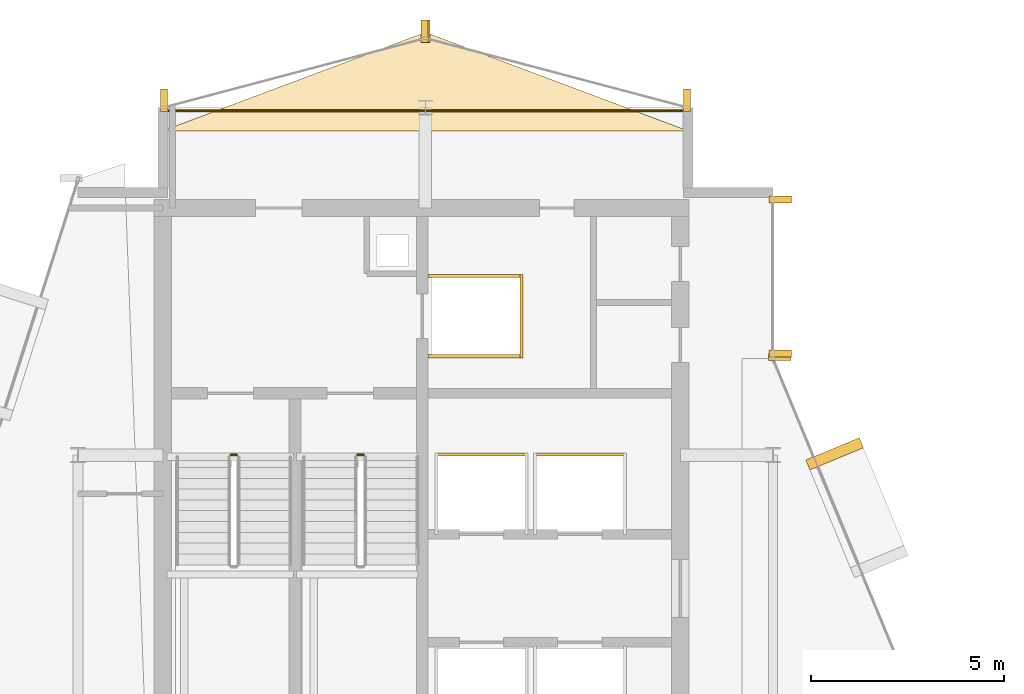
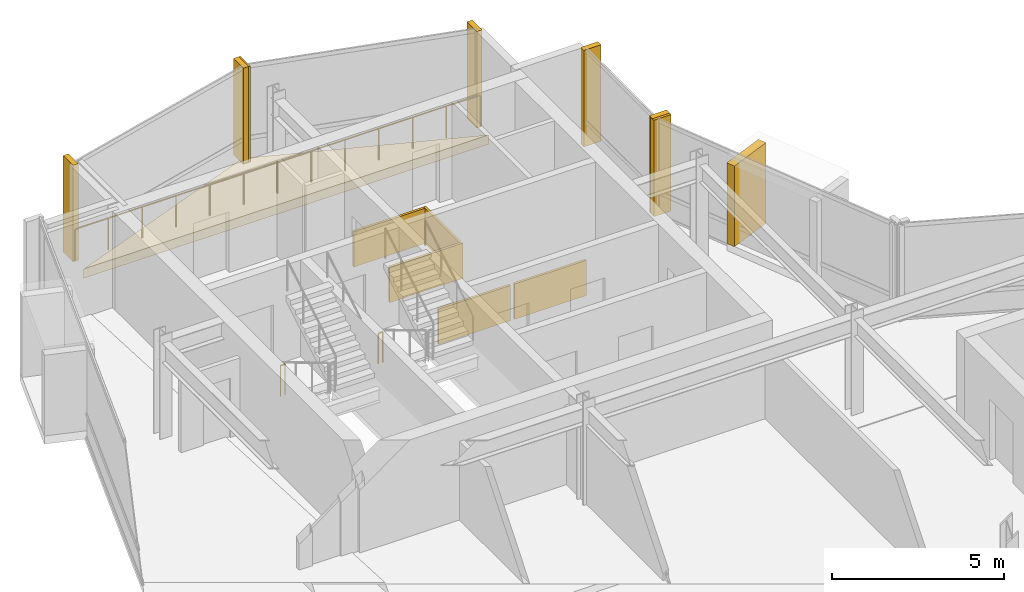
# One storey, part 19 of 19: 14 coverings, 3 railings.
"""IFC4 building model written with IfcOpenShell, lengths in metres."""

from ifc_helpers import new_model, si_unit, direction, frame, origin, origin_2d, place, context, subcontext, project, spatial, polyline, rectangle, circle, outline, extrude, material, layer, layer_set, type_object, element, save


model = new_model("IFC4")

# Units and contexts
model_context = context("Model", 3, precision=1e-05, world=origin(), true_north=direction((0.0, 1.0)))
body_context = subcontext(model_context, "Body", "Model", "MODEL_VIEW")
ifc_project = project(units=[si_unit("LENGTHUNIT", "METRE"), si_unit("AREAUNIT", "SQUARE_METRE"), si_unit("VOLUMEUNIT", "CUBIC_METRE"), si_unit("PLANEANGLEUNIT", "RADIAN"), si_unit("MASSUNIT", "GRAM", prefix="KILO")], contexts=[model_context])

# Site, building, storey
site_placement = place(None, origin())
site = spatial("IfcSite", under=ifc_project, at=site_placement, CompositionType="ELEMENT")
building_placement = place(site_placement, origin())
building = spatial("IfcBuilding", under=site, at=building_placement, Name="Solvaryn Broadcast Tower", CompositionType="ELEMENT")
storey_placement = place(building_placement, frame((0.0, 0.0, 248.199951171875)))
storey = spatial("IfcBuildingStorey", under=building, at=storey_placement, Name="L62", CompositionType="ELEMENT", Elevation=248.199951171875)

# Coverings
ifc_material_1 = material(Name="Fire-Rated Gypsum Shaftwall Liner", Category="concrete")
ifc_layer_1 = layer(ifc_material_1, 0.080078125)
ifc_layer_set_1 = layer_set([ifc_layer_1], Name="CV-SHAFT-LINER")
covering_type_1 = type_object("IfcCoveringType", Name="CV-SHAFT-LINER", PredefinedType="CLADDING", material=ifc_layer_set_1)
for number, where, z_axis, x_axis, name in (
    (1, (19.300048828125, 40.639892578125, 0.0), (0.0, 0.0, 1.0), (1.0, 0.0, 0.0), "L62 FL1 Hoistway Shaft Liner North"),
    (2, (19.300048828125, 38.56005859375, 0.0), (0.0, 0.0, 1.0), (1.0, 0.0, 0.0), "L62 FL1 Hoistway Shaft Liner South"),
):
    element("IfcCovering", number, at=place(storey_placement, frame(where, z_axis=z_axis, x_axis=x_axis)), inside=storey, type_object=covering_type_1, Name=name, PredefinedType="CLADDING", context=body_context, shape_type="SweptSolid", body=[
        extrude(rectangle(XDim=2.4599609375, YDim=0.080078125, at=origin_2d()), origin(), (0.0, 0.0, 1.0), 1.25),
    ])
covering_1_placement = place(storey_placement, frame((20.489990234375, 39.60009765625, 0.0), z_axis=(0.0, 0.0, 1.0), x_axis=(1.0, 0.0, 0.0)))
element("IfcCovering", 3, at=covering_1_placement, inside=storey, type_object=covering_type_1, Name="L62 FL1 Hoistway Shaft Liner East", PredefinedType="CLADDING", context=body_context, shape_type="SweptSolid", body=[
    extrude(rectangle(XDim=0.080078125, YDim=2.159912109375, at=origin_2d()), origin(), (0.0, 0.0, 1.0), 1.25),
])
for number, where, z_axis, x_axis, name in (
    (4, (19.449951171875, 36.014892578125, 0.0), (0.0, 0.0, 1.0), (1.0, 0.0, 0.0), "L62 PH3 Hoistway Shaft Liner North"),
    (5, (22.0, 36.014892578125, 0.0), (0.0, 0.0, 1.0), (1.0, 0.0, 0.0), "L62 PH4 Hoistway Shaft Liner North"),
):
    element("IfcCovering", number, at=place(storey_placement, frame(where, z_axis=z_axis, x_axis=x_axis)), inside=storey, type_object=covering_type_1, Name=name, PredefinedType="CLADDING", context=body_context, shape_type="SweptSolid", body=[
        extrude(rectangle(XDim=2.409912109375, YDim=0.080078125, at=origin_2d()), origin(), (0.0, 0.0, 1.0), 1.25),
    ])
ifc_material_2 = material(Name="Glazed Architectural Terracotta Rainscreen Cladding", Category="masonry")
ifc_layer_2 = layer(ifc_material_2, 0.280029296875)
ifc_layer_set_2 = layer_set([ifc_layer_2], Name="CV-TC-CLAD")
covering_type_2 = type_object("IfcCoveringType", Name="CV-TC-CLAD", PredefinedType="CLADDING", material=ifc_layer_set_2)
covering_2_placement = place(storey_placement, frame((28.59619140625, 36.031982421875, 0.27978515625), z_axis=(0.0, 0.0, 1.0), x_axis=(-0.382683432365, 0.923879532511, 0.0)))
element("IfcCovering", 6, at=covering_2_placement, inside=storey, type_object=covering_type_2, Name="L62 Projecting Stone Window Box Cheek 5-2", PredefinedType="CLADDING", context=body_context, shape_type="SweptSolid", body=[
    extrude(rectangle(XDim=0.280029296875, YDim=1.5, at=origin_2d()), origin(), (0.0, 0.0, 1.0), 2.860107421875),
])
ifc_material_3 = material(Name="Extruded Architectural Terracotta Fin", Category="masonry")
ifc_layer_3 = layer(ifc_material_3, 0.179931640625)
ifc_layer_set_3 = layer_set([ifc_layer_3], Name="CV-TC-FIN")
covering_type_3 = type_object("IfcCoveringType", Name="CV-TC-FIN", PredefinedType="USERDEFINED", material=ifc_layer_set_3)
for number, where, z_axis, x_axis, name in (
    (7, (27.1875, 42.6201171875, 0.0), (0.0, 0.0, 1.0), (1.0, 0.0, 0.0), "L62 Terracotta Vertical Fin FIN-L62-IV-M00"),
    (8, (27.1875, 38.6298828125, 0.0), (0.0, 0.0, 1.0), (1.0, 0.0, 0.0), "L62 Terracotta Vertical Fin FIN-L62-IV-M01"),
    (9, (27.177978515625, 38.541259765625, 0.0), (0.0, 0.0, 1.0), (1.0, 0.0, 0.0), "L62 Terracotta Vertical Fin FIN-L62-CN2-M01"),
):
    element("IfcCovering", number, at=place(storey_placement, frame(where, z_axis=z_axis, x_axis=x_axis)), inside=storey, type_object=covering_type_3, Name=name, ObjectType="FIN", PredefinedType="USERDEFINED", context=body_context, shape_type="SweptSolid", body=[
        extrude(rectangle(XDim=0.580078125, YDim=0.179931640625, at=origin_2d()), origin(), (0.0, 0.0, 1.0), 3.419921875),
    ])
for number, where, z_axis, x_axis, name in (
    (10, (24.77099609375, 45.1953125, 0.0), (0.0, 0.0, 1.0), (1.0, 0.0, 0.0), "L62 Terracotta Vertical Fin FIN-L62-NT1-M00"),
    (11, (18.029052734375, 46.979736328125, 0.0), (0.0, 0.0, 1.0), (1.0, 0.0, 0.0), "L62 Terracotta Vertical Fin FIN-L62-NT1-M01"),
    (12, (17.970947265625, 46.979736328125, 0.0), (0.0, 0.0, 1.0), (1.0, 0.0, 0.0), "L62 Terracotta Vertical Fin FIN-L62-NT2-M00"),
    (13, (11.22900390625, 45.1953125, 0.0), (0.0, 0.0, 1.0), (1.0, 0.0, 0.0), "L62 Terracotta Vertical Fin FIN-L62-NT2-M01"),
):
    element("IfcCovering", number, at=place(storey_placement, frame(where, z_axis=z_axis, x_axis=x_axis)), inside=storey, type_object=covering_type_3, Name=name, ObjectType="FIN", PredefinedType="USERDEFINED", context=body_context, shape_type="SweptSolid", body=[
        extrude(rectangle(XDim=0.179931640625, YDim=0.580078125, at=origin_2d()), origin(), (0.0, 0.0, 1.0), 3.419921875),
    ])
ifc_material_4 = material(Name="Sculpted Architectural Terracotta Wave Fascia", Category="masonry")
ifc_layer_4 = layer(ifc_material_4, 0.340087890625)
ifc_layer_set_4 = layer_set([ifc_layer_4], Name="CV-WAVE-TRAY")
covering_type_4 = type_object("IfcCoveringType", Name="CV-WAVE-TRAY", PredefinedType="CLADDING", material=ifc_layer_set_4)
covering_3_placement = place(storey_placement, frame((0.0, 0.0, -0.300048828125)))
element("IfcCovering", 14, at=covering_3_placement, inside=storey, type_object=covering_type_4, Name="L62 North Curved Wing Deck", PredefinedType="CLADDING", context=body_context, shape_type="SweptSolid", body=[
    extrude(outline(polyline([(11.199951171875, 44.39990234375), (24.800048828125, 44.39990234375), (18.0, 46.949951171875), (11.199951171875, 44.39990234375)])), origin(), (0.0, 0.0, 1.0), 0.330078125),
])

# Railings
ifc_material_5 = material(Name="Painted Steel Stair Well Guard", Category="steel")
railing_type_1 = type_object("IfcRailingType", Name="RL-STAIR-GUARD", PredefinedType="BALUSTRADE", material=ifc_material_5)
railing_1_placement = place(storey_placement, frame((12.9599609375, 36.010009765625, 0.0)))
element("IfcRailing", 15, at=railing_1_placement, inside=storey, type_object=railing_type_1, Name="L62 ST1 stair guard 4", PredefinedType="BALUSTRADE", context=body_context, shape_type="SweptSolid", body=[
    extrude(circle(Radius=0.02392578125, at=origin_2d()), frame((0.0, 0.0, 1.076171875), z_axis=(1.0, 0.0, 0.0), x_axis=(0.0, 1.0, 0.0)), (0.0, 0.0, 1.0), 0.150146484375),
    extrude(circle(Radius=0.02099609375, at=origin_2d()), origin(), (0.0, 0.0, 1.0), 1.052001953125),
    extrude(circle(Radius=0.02099609375, at=origin_2d()), frame((0.150146484375, 0.0, 0.0)), (0.0, 0.0, 1.0), 1.052001953125),
])
railing_2_placement = place(storey_placement, frame((16.239990234375, 36.010009765625, 0.0)))
element("IfcRailing", 16, at=railing_2_placement, inside=storey, type_object=railing_type_1, Name="L62 ST2 stair guard 4", PredefinedType="BALUSTRADE", context=body_context, shape_type="SweptSolid", body=[
    extrude(circle(Radius=0.02392578125, at=origin_2d()), frame((0.0, 0.0, 1.076171875), z_axis=(1.0, 0.0, 0.0), x_axis=(0.0, 1.0, 0.0)), (0.0, 0.0, 1.0), 0.14990234375),
    extrude(circle(Radius=0.02099609375, at=origin_2d()), origin(), (0.0, 0.0, 1.0), 1.052001953125),
    extrude(circle(Radius=0.02099609375, at=origin_2d()), frame((0.14990234375, 0.0, 0.0)), (0.0, 0.0, 1.0), 1.052001953125),
])
ifc_material_6 = material(Name="Stainless Steel and Laminated Glass Guard", Category="steel")
railing_type_2 = type_object("IfcRailingType", Name="RL-TER-1150", PredefinedType="BALUSTRADE", material=ifc_material_6)
railing_3_placement = place(storey_placement, frame((11.199951171875, 44.919921875, 0.0)))
element("IfcRailing", 17, at=railing_3_placement, inside=storey, type_object=railing_type_2, Name="L62 North Wing Spandrel Edge Guard", PredefinedType="BALUSTRADE", context=body_context, shape_type="SweptSolid", body=[
    extrude(circle(Radius=0.02392578125, at=origin_2d()), frame((0.0, 0.0, 1.1259765625), z_axis=(1.0, 0.0, 0.0), x_axis=(0.0, 1.0, 0.0)), (0.0, 0.0, 1.0), 13.60009765625),
    extrude(circle(Radius=0.02099609375, at=origin_2d()), origin(), (0.0, 0.0, 1.0), 1.101806640625),
    extrude(circle(Radius=0.02099609375, at=origin_2d()), frame((1.13330078125, 0.0, 0.0)), (0.0, 0.0, 1.0), 1.101806640625),
    extrude(circle(Radius=0.02099609375, at=origin_2d()), frame((2.2666015625, 0.0, 0.0)), (0.0, 0.0, 1.0), 1.101806640625),
    extrude(circle(Radius=0.02099609375, at=origin_2d()), frame((3.39990234375, 0.0, 0.0)), (0.0, 0.0, 1.0), 1.101806640625),
    extrude(circle(Radius=0.02099609375, at=origin_2d()), frame((4.533447265625, 0.0, 0.0)), (0.0, 0.0, 1.0), 1.101806640625),
    extrude(circle(Radius=0.02099609375, at=origin_2d()), frame((5.666748046875, 0.0, 0.0)), (0.0, 0.0, 1.0), 1.101806640625),
    extrude(circle(Radius=0.02099609375, at=origin_2d()), frame((6.800048828125, 0.0, 0.0)), (0.0, 0.0, 1.0), 1.101806640625),
    extrude(circle(Radius=0.02099609375, at=origin_2d()), frame((7.933349609375, 0.0, 0.0)), (0.0, 0.0, 1.0), 1.101806640625),
    extrude(circle(Radius=0.02099609375, at=origin_2d()), frame((9.066650390625, 0.0, 0.0)), (0.0, 0.0, 1.0), 1.101806640625),
    extrude(circle(Radius=0.02099609375, at=origin_2d()), frame((10.2001953125, 0.0, 0.0)), (0.0, 0.0, 1.0), 1.101806640625),
    extrude(circle(Radius=0.02099609375, at=origin_2d()), frame((11.33349609375, 0.0, 0.0)), (0.0, 0.0, 1.0), 1.101806640625),
    extrude(circle(Radius=0.02099609375, at=origin_2d()), frame((12.466796875, 0.0, 0.0)), (0.0, 0.0, 1.0), 1.101806640625),
    extrude(circle(Radius=0.02099609375, at=origin_2d()), frame((13.60009765625, 0.0, 0.0)), (0.0, 0.0, 1.0), 1.101806640625),
])

save(model, "model.ifc")
